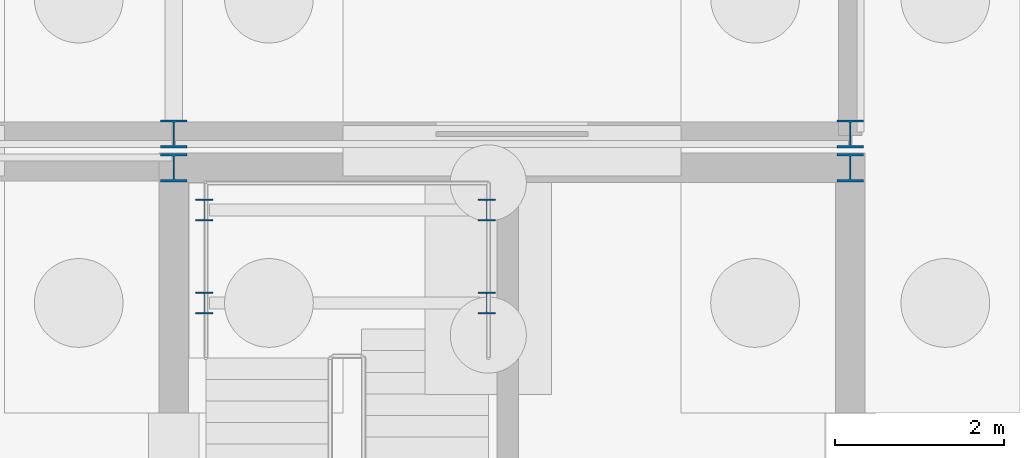
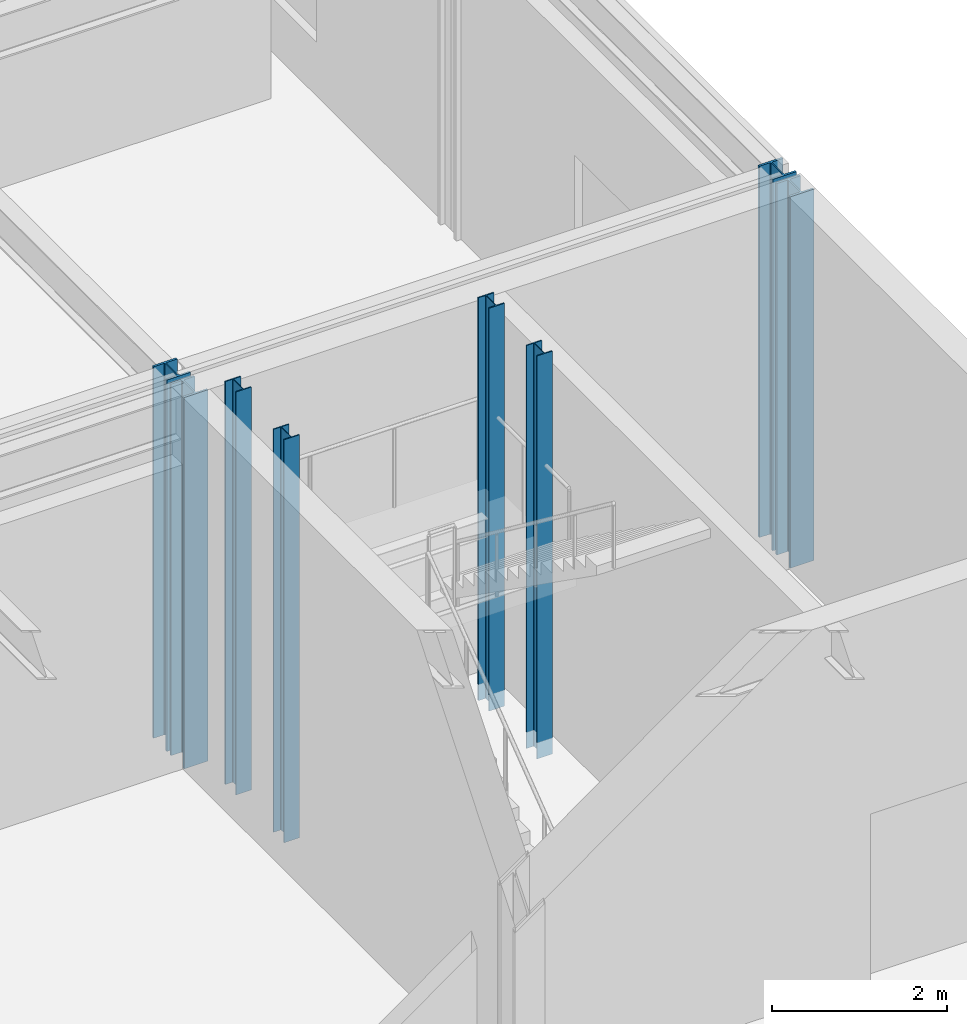
# One storey, part 25 of 62: 8 columns.
"""IFC4 building model written with IfcOpenShell, lengths in metres."""

from ifc_helpers import new_model, si_unit, direction, frame, origin, origin_2d, place, context, subcontext, project, spatial, i_section, extrude, material, material_profile, profile_set, type_object, element, save


model = new_model("IFC4")

# Units and contexts
model_context = context("Model", 3, precision=1e-05, world=origin(), true_north=direction((0.0, 1.0)))
body_context = subcontext(model_context, "Body", "Model", "MODEL_VIEW")
ifc_project = project(units=[si_unit("LENGTHUNIT", "METRE"), si_unit("AREAUNIT", "SQUARE_METRE"), si_unit("VOLUMEUNIT", "CUBIC_METRE"), si_unit("PLANEANGLEUNIT", "RADIAN"), si_unit("MASSUNIT", "GRAM", prefix="KILO")], contexts=[model_context])

# Site, building, storey
site_placement = place(None, origin())
site = spatial("IfcSite", under=ifc_project, at=site_placement, CompositionType="ELEMENT")
building_placement = place(site_placement, origin())
building = spatial("IfcBuilding", under=site, at=building_placement, Name="Zulena Civic Courthouse", CompositionType="ELEMENT")
storey_placement = place(building_placement, origin())
storey = spatial("IfcBuildingStorey", under=building, at=storey_placement, Name="L00", CompositionType="ELEMENT", Elevation=0.0)

# Columns
ifc_material = material(Name="Steel ASTM A992 Grade 50", Category="steel")
ifc_material_profile_1 = material_profile(ifc_material, i_section(OverallWidth=0.2041015625, OverallDepth=0.257080078125, WebThickness=0.0087890625, FlangeThickness=0.015625, FilletRadius=0.0126953125, at=origin_2d()), Name="W10X45")
ifc_profile_set_1 = profile_set([ifc_material_profile_1], Name="Steel ASTM A992 Grade 50")
column_type_1 = type_object("IfcColumnType", Name="Col_W10X45", PredefinedType="COLUMN", material=ifc_profile_set_1)
for number, where, z_axis, x_axis, name in (
    (1, (164.360107421875, 28.800048828125, -0.22998046875), (0.0, 0.0, 1.0), (1.0, 0.0, 0.0), "col:lnd:K1B:L00:0:0"),
    (2, (167.699951171875, 28.800048828125, -0.22998046875), (0.0, 0.0, 1.0), (1.0, 0.0, 0.0), "col:lnd:K1B:L00:0:1"),
    (3, (164.360107421875, 29.89990234375, -0.22998046875), (0.0, 0.0, 1.0), (1.0, 0.0, 0.0), "col:lnd:K1B:L00:1:0"),
    (4, (167.699951171875, 29.89990234375, -0.22998046875), (0.0, 0.0, 1.0), (1.0, 0.0, 0.0), "col:lnd:K1B:L00:1:1"),
):
    element("IfcColumn", number, at=place(storey_placement, frame(where, z_axis=z_axis, x_axis=x_axis)), inside=storey, type_object=column_type_1, Name=name, PredefinedType="COLUMN", context=body_context, shape_type="SweptSolid", body=[
        extrude(i_section(OverallWidth=0.2041015625, OverallDepth=0.257080078125, WebThickness=0.0087890625, FlangeThickness=0.015625, FilletRadius=0.0126953125, at=origin_2d()), origin(), (0.0, 0.0, 1.0), 5.625),
    ])
ifc_material_profile_2 = material_profile(ifc_material, i_section(OverallWidth=0.31298828125, OverallDepth=0.3330078125, WebThickness=0.01806640625, FlangeThickness=0.0283203125, FilletRadius=0.01513671875, at=origin_2d()), Name="W12X120")
ifc_profile_set_2 = profile_set([ifc_material_profile_2], Name="Steel ASTM A992 Grade 50")
column_type_2 = type_object("IfcColumnType", Name="Col_W12X120", PredefinedType="COLUMN", material=ifc_profile_set_2)
for number, where, z_axis, x_axis, name in (
    (5, (164.0, 30.39990234375, 0.0), (0.0, 0.0, 1.0), (1.0, 0.0, 0.0), "col:V1:L00:164.0:30.4"),
    (6, (172.0, 30.39990234375, 0.0), (0.0, 0.0, 1.0), (1.0, 0.0, 0.0), "col:V1:L00:172.0:30.4"),
    (7, (164.0, 30.800048828125, 0.0), (0.0, 0.0, 1.0), (1.0, 0.0, 0.0), "col:V3:L00:164.0:30.8"),
    (8, (172.0, 30.800048828125, 0.0), (0.0, 0.0, 1.0), (1.0, 0.0, 0.0), "col:V3:L00:172.0:30.8"),
):
    element("IfcColumn", number, at=place(storey_placement, frame(where, z_axis=z_axis, x_axis=x_axis)), inside=storey, type_object=column_type_2, Name=name, PredefinedType="COLUMN", context=body_context, shape_type="SweptSolid", body=[
        extrude(i_section(OverallWidth=0.31298828125, OverallDepth=0.3330078125, WebThickness=0.01806640625, FlangeThickness=0.0283203125, FilletRadius=0.01513671875, at=origin_2d()), origin(), (0.0, 0.0, 1.0), 5.18505859375),
    ])

save(model, "model.ifc")
